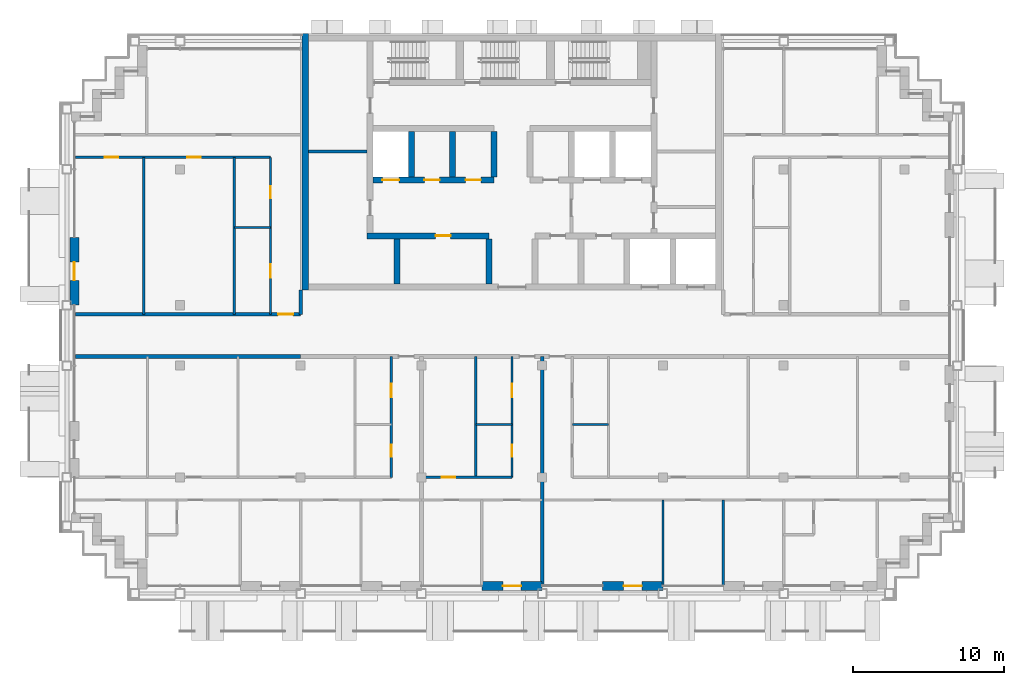
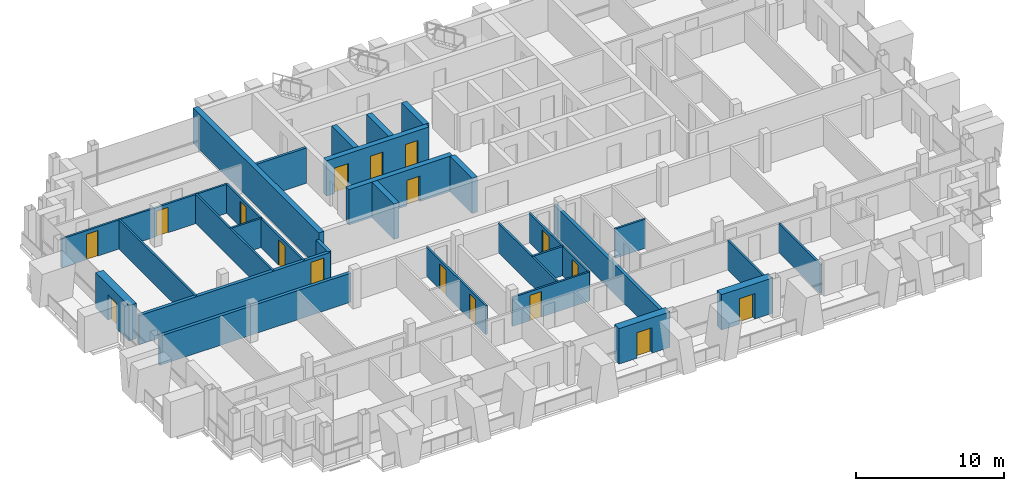
# One storey, part 8 of 16: 29 walls, 17 doors, 17 openings.
"""IFC4 building model written with IfcOpenShell, lengths in metres."""

from ifc_helpers import new_model, si_unit, direction, frame, frame_2d, origin, place, context, subcontext, project, spatial, rectangle, extrude, material, layer, layer_set, type_object, element, fill, save


model = new_model("IFC4")

# Units and contexts
model_context = context("Model", 3, precision=1e-05, world=origin(), true_north=direction((0.0, 1.0)))
body_context = subcontext(model_context, "Body", "Model", "MODEL_VIEW")
ifc_project = project(units=[si_unit("LENGTHUNIT", "METRE"), si_unit("AREAUNIT", "SQUARE_METRE"), si_unit("VOLUMEUNIT", "CUBIC_METRE"), si_unit("PLANEANGLEUNIT", "RADIAN"), si_unit("MASSUNIT", "GRAM", prefix="KILO")], contexts=[model_context])

# Site, building, storey
site_placement = place(None, origin())
site = spatial("IfcSite", under=ifc_project, at=site_placement, CompositionType="ELEMENT")
building_placement = place(site_placement, origin())
building = spatial("IfcBuilding", under=site, at=building_placement, Name="Vidyagriha Tower", CompositionType="ELEMENT")
storey_placement = place(building_placement, frame((0.0, 0.0, 220.39990234375)))
storey = spatial("IfcBuildingStorey", under=building, at=storey_placement, Name="L57", CompositionType="ELEMENT", Elevation=220.39990234375)

# Wall, opening, door
ifc_material_1 = material(Name="Precast concrete C40/50 with brick facing", Category="concrete")
ifc_layer_1 = layer(ifc_material_1, 0.60009765625)
ifc_layer_set_1 = layer_set([ifc_layer_1], Name="Precast concrete C40/50 with brick facing")
wall_type_1 = type_object("IfcWallType", Name="Brick-faced precast wall 600", PredefinedType="STANDARD", material=ifc_layer_set_1)
wall_1_placement = place(storey_placement, frame((-29.0, 6.5, 0.0), z_axis=(0.0, 0.0, 1.0), x_axis=(0.0, -1.0, 0.0)))
wall_1 = element("IfcWall", 1, at=wall_1_placement, inside=storey, type_object=wall_type_1, Name="Brick door bay wall L57 R16.3", PredefinedType="STANDARD", context=body_context, shape_type="SweptSolid", body=[
    extrude(rectangle(XDim=4.5, YDim=0.60009765625, at=frame_2d((2.25, 0.0))), origin(), (0.0, 0.0, 1.0), 2.920166015625),
])
opening_1_placement = place(wall_1_placement, frame((1.64990234375, 0.0, 0.0)))
opening_1 = element("IfcOpeningElement", 2, at=opening_1_placement, cuts=wall_1, Name="Opening D57-62", PredefinedType="OPENING", context=body_context, shape_type="SweptSolid", body=[
    extrude(rectangle(XDim=1.199951171875, YDim=2.10009765625, at=frame_2d((0.60009765625, 1.050048828125))), frame((0.0, 0.31005859375, 0.0), z_axis=(0.0, -1.0, 0.0), x_axis=(1.0, 0.0, 0.0)), (0.0, 0.0, 1.0), 0.6201171875),
])
ifc_material_2 = material(Name="Aluminium framed glazed sliding door", Category="aluminium")
door_type_1 = type_object("IfcDoorType", Name="Balcony sliding door 1200x2100", OperationType="NOTDEFINED", PredefinedType="DOOR", material=ifc_material_2)
door_1_placement = place(opening_1_placement, origin())
door_1 = element("IfcDoor", 3, at=door_1_placement, inside=storey, type_object=door_type_1, Name="Door D57-62", OperationType="SLIDING_TO_LEFT", OverallHeight=2.10009765625, OverallWidth=1.199951171875, PredefinedType="DOOR", context=body_context, shape_type="SweptSolid", body=[
    extrude(rectangle(XDim=1.199951171875, YDim=2.10009765625, at=frame_2d((0.60009765625, 1.050048828125))), frame((0.0, 0.02490234375, 0.0), z_axis=(0.0, -1.0, 0.0), x_axis=(1.0, 0.0, 0.0)), (0.0, 0.0, 1.0), 0.050048828125),
])
fill(opening_1, door_1)

wall_2_placement = place(storey_placement, frame((-2.0, -16.60009765625, 0.0)))
wall_2 = element("IfcWall", 4, at=wall_2_placement, inside=storey, type_object=wall_type_1, Name="Brick door bay wall L57 R23.7", PredefinedType="STANDARD", context=body_context, shape_type="SweptSolid", body=[
    extrude(rectangle(XDim=4.0, YDim=0.60009765625, at=frame_2d((2.0, 0.0))), origin(), (0.0, 0.0, 1.0), 2.920166015625),
])
opening_2_placement = place(wall_2_placement, frame((1.39990234375, 0.0, 0.0)))
opening_2 = element("IfcOpeningElement", 5, at=opening_2_placement, cuts=wall_2, Name="Opening D57-66", PredefinedType="OPENING", context=body_context, shape_type="SweptSolid", body=[
    extrude(rectangle(XDim=1.199951171875, YDim=2.10009765625, at=frame_2d((0.60009765625, 1.050048828125))), frame((0.0, 0.31005859375, 0.0), z_axis=(0.0, -1.0, 0.0), x_axis=(1.0, 0.0, 0.0)), (0.0, 0.0, 1.0), 0.6201171875),
])
door_2_placement = place(opening_2_placement, origin())
door_2 = element("IfcDoor", 6, at=door_2_placement, inside=storey, type_object=door_type_1, Name="Door D57-66", OperationType="SLIDING_TO_LEFT", OverallHeight=2.10009765625, OverallWidth=1.199951171875, PredefinedType="DOOR", context=body_context, shape_type="SweptSolid", body=[
    extrude(rectangle(XDim=1.199951171875, YDim=2.10009765625, at=frame_2d((0.60009765625, 1.050048828125))), frame((0.0, 0.02490234375, 0.0), z_axis=(0.0, -1.0, 0.0), x_axis=(1.0, 0.0, 0.0)), (0.0, 0.0, 1.0), 0.050048828125),
])
fill(opening_2, door_2)

wall_3_placement = place(storey_placement, frame((6.0, -16.60009765625, 0.0)))
wall_3 = element("IfcWall", 7, at=wall_3_placement, inside=storey, type_object=wall_type_1, Name="Brick door bay wall L57 R23.9", PredefinedType="STANDARD", context=body_context, shape_type="SweptSolid", body=[
    extrude(rectangle(XDim=4.0, YDim=0.60009765625, at=frame_2d((2.0, 0.0))), origin(), (0.0, 0.0, 1.0), 2.920166015625),
])
opening_3_placement = place(wall_3_placement, frame((1.39990234375, 0.0, 0.0)))
opening_3 = element("IfcOpeningElement", 8, at=opening_3_placement, cuts=wall_3, Name="Opening D57-67", PredefinedType="OPENING", context=body_context, shape_type="SweptSolid", body=[
    extrude(rectangle(XDim=1.199951171875, YDim=2.10009765625, at=frame_2d((0.60009765625, 1.050048828125))), frame((0.0, 0.31005859375, 0.0), z_axis=(0.0, -1.0, 0.0), x_axis=(1.0, 0.0, 0.0)), (0.0, 0.0, 1.0), 0.6201171875),
])
door_3_placement = place(opening_3_placement, origin())
door_3 = element("IfcDoor", 9, at=door_3_placement, inside=storey, type_object=door_type_1, Name="Door D57-67", OperationType="SLIDING_TO_LEFT", OverallHeight=2.10009765625, OverallWidth=1.199951171875, PredefinedType="DOOR", context=body_context, shape_type="SweptSolid", body=[
    extrude(rectangle(XDim=1.199951171875, YDim=2.10009765625, at=frame_2d((0.60009765625, 1.050048828125))), frame((0.0, 0.02490234375, 0.0), z_axis=(0.0, -1.0, 0.0), x_axis=(1.0, 0.0, 0.0)), (0.0, 0.0, 1.0), 0.050048828125),
])
fill(opening_3, door_3)

# Wall
ifc_material_3 = material(Name="Concrete C60/75", Category="concrete")
ifc_layer_2 = layer(ifc_material_3, 0.39990234375)
ifc_layer_set_2 = layer_set([ifc_layer_2], Name="Concrete C60/75")
wall_type_2 = type_object("IfcWallType", Name="Core shear wall 400 mm", PredefinedType="SHEAR", material=ifc_layer_set_2)
wall_4_placement = place(storey_placement, frame((-13.699951171875, 3.0, 0.0), z_axis=(0.0, 0.0, 1.0), x_axis=(0.0, 1.0, 0.0)))
element("IfcWall", 10, at=wall_4_placement, inside=storey, type_object=wall_type_2, Name="Core west wall", PredefinedType="SHEAR", context=body_context, shape_type="SweptSolid", body=[
    extrude(rectangle(XDim=17.0, YDim=0.39990234375, at=frame_2d((8.5, 0.0))), origin(), (0.0, 0.0, 1.0), 2.920166015625),
])

# Wall, opening, door
wall_5_placement = place(storey_placement, frame((-9.60009765625, 6.60009765625, 0.0)))
wall_5 = element("IfcWall", 11, at=wall_5_placement, inside=storey, type_object=wall_type_2, Name="Core lobby south wall west", PredefinedType="SHEAR", context=body_context, shape_type="SweptSolid", body=[
    extrude(rectangle(XDim=8.077880859375, YDim=0.39990234375, at=frame_2d((4.0390625, 0.0))), origin(), (0.0, 0.0, 1.0), 2.920166015625),
])
opening_4_placement = place(wall_5_placement, frame((4.533203125, 0.0, 0.0)))
opening_4 = element("IfcOpeningElement", 12, at=opening_4_placement, cuts=wall_5, Name="Opening D57-02", PredefinedType="OPENING", context=body_context, shape_type="SweptSolid", body=[
    extrude(rectangle(XDim=1.0, YDim=2.10009765625, at=frame_2d((0.5, 1.050048828125))), frame((0.0, 0.2099609375, 0.0), z_axis=(0.0, -1.0, 0.0), x_axis=(1.0, 0.0, 0.0)), (0.0, 0.0, 1.0), 0.419921875),
])
ifc_material_4 = material(Name="Hollow metal door leaf")
door_type_2 = type_object("IfcDoorType", Name="Core room door 1000 x 2100 mm EI 60", OperationType="NOTDEFINED", PredefinedType="DOOR", material=ifc_material_4)
door_4_placement = place(opening_4_placement, origin())
door_4 = element("IfcDoor", 13, at=door_4_placement, inside=storey, type_object=door_type_2, Name="Door Pressurisation Plant Room 57.01", OperationType="SINGLE_SWING_RIGHT", OverallHeight=2.10009765625, OverallWidth=1.0, PredefinedType="DOOR", context=body_context, shape_type="SweptSolid", body=[
    extrude(rectangle(XDim=1.0, YDim=2.10009765625, at=frame_2d((0.5, 1.050048828125))), frame((0.0, 0.02490234375, 0.0), z_axis=(0.0, -1.0, 0.0), x_axis=(1.0, 0.0, 0.0)), (0.0, 0.0, 1.0), 0.050048828125),
])
fill(opening_4, door_4)

# Walls
for number, where, z_axis, x_axis, name in (
    (14, (-7.611083984375, 3.39990234375, 0.0), (0.0, 0.0, 1.0), (0.0, 1.0, 0.0), "Core bay wall S2"),
    (15, (-1.522216796875, 3.39990234375, 0.0), (0.0, 0.0, 1.0), (0.0, 1.0, 0.0), "Core bay wall S4"),
):
    element("IfcWall", number, at=place(storey_placement, frame(where, z_axis=z_axis, x_axis=x_axis)), inside=storey, type_object=wall_type_2, Name=name, PredefinedType="SHEAR", context=body_context, shape_type="SweptSolid", body=[
        extrude(rectangle(XDim=3.0, YDim=0.39990234375, at=frame_2d((1.5, 0.0))), origin(), (0.0, 0.0, 1.0), 2.920166015625),
    ])

# Wall, openings, doors
wall_6_placement = place(storey_placement, frame((-9.199951171875, 10.300048828125, 0.0)))
wall_6 = element("IfcWall", 16, at=wall_6_placement, inside=storey, type_object=wall_type_2, Name="Core row N front wall", PredefinedType="SHEAR", context=body_context, shape_type="SweptSolid", body=[
    extrude(rectangle(XDim=8.0, YDim=0.39990234375, at=frame_2d((4.0, 0.0))), origin(), (0.0, 0.0, 1.0), 2.920166015625),
])
opening_5_placement = place(wall_6_placement, frame((0.61669921875, 0.0, 0.0)))
opening_5 = element("IfcOpeningElement", 17, at=opening_5_placement, cuts=wall_6, Name="Opening LD57-03", PredefinedType="OPENING", context=body_context, shape_type="SweptSolid", body=[
    extrude(rectangle(XDim=1.10009765625, YDim=2.10009765625, at=frame_2d((0.550048828125, 1.050048828125))), frame((0.0, 0.2099609375, 0.0), z_axis=(0.0, -1.0, 0.0), x_axis=(1.0, 0.0, 0.0)), (0.0, 0.0, 1.0), 0.419921875),
])
opening_6_placement = place(wall_6_placement, frame((3.39990234375, 0.0, 0.0)))
opening_6 = element("IfcOpeningElement", 18, at=opening_6_placement, cuts=wall_6, Name="Opening D57-05", PredefinedType="OPENING", context=body_context, shape_type="SweptSolid", body=[
    extrude(rectangle(XDim=1.0, YDim=2.10009765625, at=frame_2d((0.5, 1.050048828125))), frame((0.0, 0.2099609375, 0.0), z_axis=(0.0, -1.0, 0.0), x_axis=(1.0, 0.0, 0.0)), (0.0, 0.0, 1.0), 0.419921875),
])
opening_7_placement = place(wall_6_placement, frame((6.13330078125, 0.0, 0.0)))
opening_7 = element("IfcOpeningElement", 19, at=opening_7_placement, cuts=wall_6, Name="Opening D57-06", PredefinedType="OPENING", context=body_context, shape_type="SweptSolid", body=[
    extrude(rectangle(XDim=1.0, YDim=2.10009765625, at=frame_2d((0.5, 1.050048828125))), frame((0.0, 0.2099609375, 0.0), z_axis=(0.0, -1.0, 0.0), x_axis=(1.0, 0.0, 0.0)), (0.0, 0.0, 1.0), 0.419921875),
])
door_5_placement = place(opening_6_placement, frame((1.0, 0.0, 0.0), z_axis=(0.0, 0.0, 1.0), x_axis=(-1.0, 0.0, 0.0)))
door_5 = element("IfcDoor", 20, at=door_5_placement, inside=storey, type_object=door_type_2, Name="Door Cleaners Store 57.14", OperationType="SINGLE_SWING_RIGHT", OverallHeight=2.10009765625, OverallWidth=1.0, PredefinedType="DOOR", context=body_context, shape_type="SweptSolid", body=[
    extrude(rectangle(XDim=1.0, YDim=2.10009765625, at=frame_2d((0.5, 1.050048828125))), frame((0.0, 0.02490234375, 0.0), z_axis=(0.0, -1.0, 0.0), x_axis=(1.0, 0.0, 0.0)), (0.0, 0.0, 1.0), 0.050048828125),
])
fill(opening_6, door_5)
door_6_placement = place(opening_7_placement, frame((1.0, 0.0, 0.0), z_axis=(0.0, 0.0, 1.0), x_axis=(-1.0, 0.0, 0.0)))
door_6 = element("IfcDoor", 21, at=door_6_placement, inside=storey, type_object=door_type_2, Name="Door Pressurisation Plant Room 57.15", OperationType="SINGLE_SWING_LEFT", OverallHeight=2.10009765625, OverallWidth=1.0, PredefinedType="DOOR", context=body_context, shape_type="SweptSolid", body=[
    extrude(rectangle(XDim=1.0, YDim=2.10009765625, at=frame_2d((0.5, 1.050048828125))), frame((0.0, 0.02490234375, 0.0), z_axis=(0.0, -1.0, 0.0), x_axis=(1.0, 0.0, 0.0)), (0.0, 0.0, 1.0), 0.050048828125),
])
fill(opening_7, door_6)
ifc_material_5 = material(Name="Stainless steel sliding door panel", Category="steel")
door_type_3 = type_object("IfcDoorType", Name="Lift landing door 1100 x 2100 mm EI 90", OperationType="NOTDEFINED", PredefinedType="DOOR", material=ifc_material_5)
door_7_placement = place(opening_5_placement, origin())
door_7 = element("IfcDoor", 22, at=door_7_placement, inside=storey, type_object=door_type_3, Name="Landing door MR3 L57", OperationType="SLIDING_TO_LEFT", OverallHeight=2.10009765625, OverallWidth=1.10009765625, PredefinedType="DOOR", context=body_context, shape_type="SweptSolid", body=[
    extrude(rectangle(XDim=1.10009765625, YDim=2.10009765625, at=frame_2d((0.550048828125, 1.050048828125))), frame((0.0, 0.02490234375, 0.0), z_axis=(0.0, -1.0, 0.0), x_axis=(1.0, 0.0, 0.0)), (0.0, 0.0, 1.0), 0.050048828125),
])
fill(opening_5, door_7)

# Walls
for number, where, z_axis, x_axis, name in (
    (23, (-6.666748046875, 10.5, 0.0), (0.0, 0.0, 1.0), (0.0, 1.0, 0.0), "Core bay wall N1"),
    (24, (-3.933349609375, 10.5, 0.0), (0.0, 0.0, 1.0), (0.0, 1.0, 0.0), "Core bay wall N2"),
    (25, (-1.199951171875, 10.5, 0.0), (0.0, 0.0, 1.0), (0.0, 1.0, 0.0), "Core bay wall N3"),
):
    element("IfcWall", number, at=place(storey_placement, frame(where, z_axis=z_axis, x_axis=x_axis)), inside=storey, type_object=wall_type_2, Name=name, PredefinedType="SHEAR", context=body_context, shape_type="SweptSolid", body=[
        extrude(rectangle(XDim=3.0, YDim=0.39990234375, at=frame_2d((1.5, 0.0))), origin(), (0.0, 0.0, 1.0), 2.920166015625),
    ])
ifc_material_6 = material(Name="Fired clay brick masonry", Category="masonry")
ifc_layer_3 = layer(ifc_material_6, 0.25)
ifc_layer_set_3 = layer_set([ifc_layer_3], Name="Fired clay brick masonry")
wall_type_3 = type_object("IfcWallType", Name="Fired clay brick corridor wall 250", PredefinedType="PARTITIONING", material=ifc_layer_set_3)
wall_7_placement = place(storey_placement, frame((-14.0, -1.39990234375, 0.0), z_axis=(0.0, 0.0, 1.0), x_axis=(-1.0, 0.0, 0.0)))
element("IfcWall", 26, at=wall_7_placement, inside=storey, type_object=wall_type_3, Name="Wall all-L57-w065", PredefinedType="PARTITIONING", context=body_context, shape_type="SweptSolid", body=[
    extrude(rectangle(XDim=14.919921875, YDim=0.25, at=frame_2d((7.4599609375, 0.0))), origin(), (0.0, 0.0, 1.0), 2.400146484375),
])

# Wall, opening, door
wall_8_placement = place(storey_placement, frame((-28.919921875, 1.39990234375, 0.0)))
wall_8 = element("IfcWall", 27, at=wall_8_placement, inside=storey, type_object=wall_type_3, Name="Wall all-L57-w081", PredefinedType="PARTITIONING", context=body_context, shape_type="SweptSolid", body=[
    extrude(rectangle(XDim=14.919921875, YDim=0.25, at=frame_2d((7.4599609375, 0.0))), origin(), (0.0, 0.0, 1.0), 2.400146484375),
])
opening_8_placement = place(wall_8_placement, frame((13.419921875, 0.0, 0.0)))
opening_8 = element("IfcOpeningElement", 28, at=opening_8_placement, cuts=wall_8, Name="Opening D57-53", PredefinedType="OPENING", context=body_context, shape_type="SweptSolid", body=[
    extrude(rectangle(XDim=1.0, YDim=2.10009765625, at=frame_2d((0.5, 1.050048828125))), frame((0.0, 0.135009765625, 0.0), z_axis=(0.0, -1.0, 0.0), x_axis=(1.0, 0.0, 0.0)), (0.0, 0.0, 1.0), 0.27001953125),
])
ifc_material_7 = material(Name="Fire-rated timber door leaf EI 60", Category="wood")
door_type_4 = type_object("IfcDoorType", Name="Flat entrance fire door 1000x2100", OperationType="NOTDEFINED", PredefinedType="DOOR", material=ifc_material_7)
door_8_placement = place(opening_8_placement, origin())
door_8 = element("IfcDoor", 29, at=door_8_placement, inside=storey, type_object=door_type_4, Name="Door D57-53", OperationType="SINGLE_SWING_RIGHT", OverallHeight=2.10009765625, OverallWidth=1.0, PredefinedType="DOOR", context=body_context, shape_type="SweptSolid", body=[
    extrude(rectangle(XDim=1.0, YDim=2.10009765625, at=frame_2d((0.5, 1.050048828125))), frame((0.0, 0.02490234375, 0.0), z_axis=(0.0, -1.0, 0.0), x_axis=(1.0, 0.0, 0.0)), (0.0, 0.0, 1.0), 0.050048828125),
])
fill(opening_8, door_8)

# Walls
wall_9_placement = place(storey_placement, frame((-14.0, 3.0, 0.0), z_axis=(0.0, 0.0, 1.0), x_axis=(0.0, -1.0, 0.0)))
element("IfcWall", 30, at=wall_9_placement, inside=storey, type_object=wall_type_3, Name="Wall all-L57-w100", PredefinedType="PARTITIONING", context=body_context, shape_type="SweptSolid", body=[
    extrude(rectangle(XDim=1.60009765625, YDim=0.25, at=frame_2d((0.800048828125, 0.0))), origin(), (0.0, 0.0, 1.0), 2.400146484375),
])
ifc_material_8 = material(Name="Fired clay brick masonry", Category="masonry")
ifc_layer_4 = layer(ifc_material_8, 0.25)
ifc_layer_set_4 = layer_set([ifc_layer_4], Name="Fired clay brick masonry")
wall_type_4 = type_object("IfcWallType", Name="Fired clay brick demising wall 250", PredefinedType="PARTITIONING", material=ifc_layer_set_4)
wall_10_placement = place(storey_placement, frame((2.0, -1.39990234375, 0.0), z_axis=(0.0, 0.0, 1.0), x_axis=(0.0, -1.0, 0.0)))
element("IfcWall", 31, at=wall_10_placement, inside=storey, type_object=wall_type_4, Name="Wall all-L57-w064", PredefinedType="PARTITIONING", context=body_context, shape_type="SweptSolid", body=[
    extrude(rectangle(XDim=15.110107421875, YDim=0.25, at=frame_2d((7.55517578125, 0.0))), origin(), (0.0, 0.0, 1.0), 2.400146484375),
])
ifc_material_9 = material(Name="Gypsum board partition")
ifc_layer_5 = layer(ifc_material_9, 0.14990234375)
ifc_layer_set_5 = layer_set([ifc_layer_5], Name="Gypsum board partition")
wall_type_5 = type_object("IfcWallType", Name="Gypsum board partition 150", PredefinedType="PARTITIONING", material=ifc_layer_set_5)
wall_11_placement = place(storey_placement, frame((0.0, -5.89990234375, 0.0), z_axis=(0.0, 0.0, 1.0), x_axis=(-1.0, 0.0, 0.0)))
element("IfcWall", 32, at=wall_11_placement, inside=storey, type_object=wall_type_5, Name="Wall all-L57-w029", PredefinedType="PARTITIONING", context=body_context, shape_type="SweptSolid", body=[
    extrude(rectangle(XDim=2.39990234375, YDim=0.14990234375, at=frame_2d((1.199951171875, 0.0))), origin(), (0.0, 0.0, 1.0), 2.400146484375),
])
wall_12_placement = place(storey_placement, frame((-2.39990234375, -9.39990234375, 0.0), z_axis=(0.0, 0.0, 1.0), x_axis=(0.0, 1.0, 0.0)))
element("IfcWall", 33, at=wall_12_placement, inside=storey, type_object=wall_type_5, Name="Wall all-L57-w030", PredefinedType="PARTITIONING", context=body_context, shape_type="SweptSolid", body=[
    extrude(rectangle(XDim=8.0, YDim=0.14990234375, at=frame_2d((4.0, 0.0))), origin(), (0.0, 0.0, 1.0), 2.400146484375),
])

# Wall, opening, door
wall_13_placement = place(storey_placement, frame((-6.0, -9.39990234375, 0.0)))
wall_13 = element("IfcWall", 34, at=wall_13_placement, inside=storey, type_object=wall_type_5, Name="Wall all-L57-w031", PredefinedType="PARTITIONING", context=body_context, shape_type="SweptSolid", body=[
    extrude(rectangle(XDim=6.0, YDim=0.14990234375, at=frame_2d((3.0, 0.0))), origin(), (0.0, 0.0, 1.0), 2.400146484375),
])
opening_9_placement = place(wall_13_placement, frame((1.35009765625, 0.0, 0.0)))
opening_9 = element("IfcOpeningElement", 35, at=opening_9_placement, cuts=wall_13, Name="Opening D57-31", PredefinedType="OPENING", context=body_context, shape_type="SweptSolid", body=[
    extrude(rectangle(XDim=0.89990234375, YDim=2.10009765625, at=frame_2d((0.449951171875, 1.050048828125))), frame((0.0, 0.0849609375, 0.0), z_axis=(0.0, -1.0, 0.0), x_axis=(1.0, 0.0, 0.0)), (0.0, 0.0, 1.0), 0.169921875),
])
ifc_material_10 = material(Name="Timber door leaf", Category="wood")
door_type_5 = type_object("IfcDoorType", Name="Room door 900x2100", OperationType="NOTDEFINED", PredefinedType="DOOR", material=ifc_material_10)
door_9_placement = place(opening_9_placement, origin())
door_9 = element("IfcDoor", 36, at=door_9_placement, inside=storey, type_object=door_type_5, Name="Door D57-31", OperationType="SINGLE_SWING_LEFT", OverallHeight=2.10009765625, OverallWidth=0.89990234375, PredefinedType="DOOR", context=body_context, shape_type="SweptSolid", body=[
    extrude(rectangle(XDim=0.89990234375, YDim=2.10009765625, at=frame_2d((0.449951171875, 1.050048828125))), frame((0.0, 0.02490234375, 0.0), z_axis=(0.0, -1.0, 0.0), x_axis=(1.0, 0.0, 0.0)), (0.0, 0.0, 1.0), 0.050048828125),
])
fill(opening_9, door_9)

# Walls
wall_14_placement = place(storey_placement, frame((6.39990234375, -5.89990234375, 0.0), z_axis=(0.0, 0.0, 1.0), x_axis=(-1.0, 0.0, 0.0)))
element("IfcWall", 37, at=wall_14_placement, inside=storey, type_object=wall_type_5, Name="Wall all-L57-w042", PredefinedType="PARTITIONING", context=body_context, shape_type="SweptSolid", body=[
    extrude(rectangle(XDim=2.39990234375, YDim=0.14990234375, at=frame_2d((1.199951171875, 0.0))), origin(), (0.0, 0.0, 1.0), 2.400146484375),
])
wall_15_placement = place(storey_placement, frame((10.0, -10.89990234375, 0.0), z_axis=(0.0, 0.0, 1.0), x_axis=(0.0, -1.0, 0.0)))
element("IfcWall", 38, at=wall_15_placement, inside=storey, type_object=wall_type_5, Name="Wall all-L57-w056", PredefinedType="PARTITIONING", context=body_context, shape_type="SweptSolid", body=[
    extrude(rectangle(XDim=5.610107421875, YDim=0.14990234375, at=frame_2d((2.80517578125, 0.0))), origin(), (0.0, 0.0, 1.0), 2.400146484375),
])
wall_16_placement = place(storey_placement, frame((14.0, -10.89990234375, 0.0), z_axis=(0.0, 0.0, 1.0), x_axis=(0.0, -1.0, 0.0)))
element("IfcWall", 39, at=wall_16_placement, inside=storey, type_object=wall_type_5, Name="Wall all-L57-w057", PredefinedType="PARTITIONING", context=body_context, shape_type="SweptSolid", body=[
    extrude(rectangle(XDim=5.62109375, YDim=0.14990234375, at=frame_2d((2.810546875, 0.0))), origin(), (0.0, 0.0, 1.0), 2.400146484375),
])
wall_17_placement = place(storey_placement, frame((-18.39990234375, 7.14990234375, 0.0)))
element("IfcWall", 40, at=wall_17_placement, inside=storey, type_object=wall_type_5, Name="Wall all-L57-w070", PredefinedType="PARTITIONING", context=body_context, shape_type="SweptSolid", body=[
    extrude(rectangle(XDim=2.39990234375, YDim=0.14990234375, at=frame_2d((1.199951171875, 0.0))), origin(), (0.0, 0.0, 1.0), 2.400146484375),
])
for number, where, z_axis, x_axis, name in (
    (41, (-18.39990234375, 1.39990234375, 0.0), (0.0, 0.0, 1.0), (0.0, 1.0, 0.0), "Wall all-L57-w071"),
    (42, (-24.39990234375, 1.39990234375, 0.0), (0.0, 0.0, 1.0), (0.0, 1.0, 0.0), "Wall all-L57-w072"),
):
    element("IfcWall", number, at=place(storey_placement, frame(where, z_axis=z_axis, x_axis=x_axis)), inside=storey, type_object=wall_type_5, Name=name, PredefinedType="PARTITIONING", context=body_context, shape_type="SweptSolid", body=[
        extrude(rectangle(XDim=10.400146484375, YDim=0.14990234375, at=frame_2d((5.2001953125, 0.0))), origin(), (0.0, 0.0, 1.0), 2.400146484375),
    ])

# Wall, openings, doors
wall_18_placement = place(storey_placement, frame((-16.0, 11.800048828125, 0.0), z_axis=(0.0, 0.0, 1.0), x_axis=(-1.0, 0.0, 0.0)))
wall_18 = element("IfcWall", 43, at=wall_18_placement, inside=storey, type_object=wall_type_5, Name="Wall all-L57-w073", PredefinedType="PARTITIONING", context=body_context, shape_type="SweptSolid", body=[
    extrude(rectangle(XDim=12.919921875, YDim=0.14990234375, at=frame_2d((6.4599609375, 0.0))), origin(), (0.0, 0.0, 1.0), 2.400146484375),
])
opening_10_placement = place(wall_18_placement, frame((4.6240234375, 0.0, 0.0)))
opening_10 = element("IfcOpeningElement", 44, at=opening_10_placement, cuts=wall_18, Name="Opening D57-49", PredefinedType="OPENING", context=body_context, shape_type="SweptSolid", body=[
    extrude(rectangle(XDim=0.89990234375, YDim=2.10009765625, at=frame_2d((0.449951171875, 1.050048828125))), frame((0.0, 0.0849609375, 0.0), z_axis=(0.0, -1.0, 0.0), x_axis=(1.0, 0.0, 0.0)), (0.0, 0.0, 1.0), 0.169921875),
])
opening_11_placement = place(wall_18_placement, frame((10.10009765625, 0.0, 0.0)))
opening_11 = element("IfcOpeningElement", 45, at=opening_11_placement, cuts=wall_18, Name="Opening D57-50", PredefinedType="OPENING", context=body_context, shape_type="SweptSolid", body=[
    extrude(rectangle(XDim=0.89990234375, YDim=2.10009765625, at=frame_2d((0.449951171875, 1.050048828125))), frame((0.0, 0.0849609375, 0.0), z_axis=(0.0, -1.0, 0.0), x_axis=(1.0, 0.0, 0.0)), (0.0, 0.0, 1.0), 0.169921875),
])
door_10_placement = place(opening_10_placement, origin())
door_10 = element("IfcDoor", 46, at=door_10_placement, inside=storey, type_object=door_type_5, Name="Door D57-49", OperationType="SINGLE_SWING_LEFT", OverallHeight=2.10009765625, OverallWidth=0.89990234375, PredefinedType="DOOR", context=body_context, shape_type="SweptSolid", body=[
    extrude(rectangle(XDim=0.89990234375, YDim=2.10009765625, at=frame_2d((0.449951171875, 1.050048828125))), frame((0.0, 0.02490234375, 0.0), z_axis=(0.0, -1.0, 0.0), x_axis=(1.0, 0.0, 0.0)), (0.0, 0.0, 1.0), 0.050048828125),
])
fill(opening_10, door_10)
door_11_placement = place(opening_11_placement, origin())
door_11 = element("IfcDoor", 47, at=door_11_placement, inside=storey, type_object=door_type_5, Name="Door D57-50", OperationType="SINGLE_SWING_RIGHT", OverallHeight=2.10009765625, OverallWidth=0.89990234375, PredefinedType="DOOR", context=body_context, shape_type="SweptSolid", body=[
    extrude(rectangle(XDim=0.89990234375, YDim=2.10009765625, at=frame_2d((0.449951171875, 1.050048828125))), frame((0.0, 0.02490234375, 0.0), z_axis=(0.0, -1.0, 0.0), x_axis=(1.0, 0.0, 0.0)), (0.0, 0.0, 1.0), 0.050048828125),
])
fill(opening_11, door_11)

ifc_material_11 = material(Name="Moisture resistant gypsum board partition")
ifc_layer_6 = layer(ifc_material_11, 0.14990234375)
ifc_layer_set_6 = layer_set([ifc_layer_6], Name="Moisture resistant gypsum board partition")
wall_type_6 = type_object("IfcWallType", Name="Gypsum board wet-area partition 150", PredefinedType="PARTITIONING", material=ifc_layer_set_6)
wall_19_placement = place(storey_placement, frame((-8.0, -9.39990234375, 0.0), z_axis=(0.0, 0.0, 1.0), x_axis=(0.0, 1.0, 0.0)))
wall_19 = element("IfcWall", 48, at=wall_19_placement, inside=storey, type_object=wall_type_6, Name="Wall all-L57-w001", PredefinedType="PARTITIONING", context=body_context, shape_type="SweptSolid", body=[
    extrude(rectangle(XDim=8.0, YDim=0.14990234375, at=frame_2d((4.0, 0.0))), origin(), (0.0, 0.0, 1.0), 2.400146484375),
])
opening_12_placement = place(wall_19_placement, frame((5.300048828125, 0.0, 0.0)))
opening_12 = element("IfcOpeningElement", 49, at=opening_12_placement, cuts=wall_19, Name="Opening D57-17", PredefinedType="OPENING", context=body_context, shape_type="SweptSolid", body=[
    extrude(rectangle(XDim=0.89990234375, YDim=2.10009765625, at=frame_2d((0.449951171875, 1.050048828125))), frame((0.0, 0.0849609375, 0.0), z_axis=(0.0, -1.0, 0.0), x_axis=(1.0, 0.0, 0.0)), (0.0, 0.0, 1.0), 0.169921875),
])
opening_13_placement = place(wall_19_placement, frame((1.35009765625, 0.0, 0.0)))
opening_13 = element("IfcOpeningElement", 50, at=opening_13_placement, cuts=wall_19, Name="Opening D57-18", PredefinedType="OPENING", context=body_context, shape_type="SweptSolid", body=[
    extrude(rectangle(XDim=0.800048828125, YDim=2.10009765625, at=frame_2d((0.39990234375, 1.050048828125))), frame((0.0, 0.0849609375, 0.0), z_axis=(0.0, -1.0, 0.0), x_axis=(1.0, 0.0, 0.0)), (0.0, 0.0, 1.0), 0.169921875),
])
ifc_material_12 = material(Name="Timber door leaf", Category="wood")
door_type_6 = type_object("IfcDoorType", Name="Bathroom door 800x2100", OperationType="NOTDEFINED", PredefinedType="DOOR", material=ifc_material_12)
door_12_placement = place(opening_13_placement, origin())
door_12 = element("IfcDoor", 51, at=door_12_placement, inside=storey, type_object=door_type_6, Name="Door D57-18", OperationType="SINGLE_SWING_RIGHT", OverallHeight=2.10009765625, OverallWidth=0.800048828125, PredefinedType="DOOR", context=body_context, shape_type="SweptSolid", body=[
    extrude(rectangle(XDim=0.800048828125, YDim=2.10009765625, at=frame_2d((0.39990234375, 1.050048828125))), frame((0.0, 0.02490234375, 0.0), z_axis=(0.0, -1.0, 0.0), x_axis=(1.0, 0.0, 0.0)), (0.0, 0.0, 1.0), 0.050048828125),
])
fill(opening_13, door_12)
ifc_material_13 = material(Name="Timber door leaf", Category="wood")
door_type_7 = type_object("IfcDoorType", Name="Kitchen door 900x2100", OperationType="NOTDEFINED", PredefinedType="DOOR", material=ifc_material_13)
door_13_placement = place(opening_12_placement, origin())
door_13 = element("IfcDoor", 52, at=door_13_placement, inside=storey, type_object=door_type_7, Name="Door D57-17", OperationType="SINGLE_SWING_LEFT", OverallHeight=2.10009765625, OverallWidth=0.89990234375, PredefinedType="DOOR", context=body_context, shape_type="SweptSolid", body=[
    extrude(rectangle(XDim=0.89990234375, YDim=2.10009765625, at=frame_2d((0.449951171875, 1.050048828125))), frame((0.0, 0.02490234375, 0.0), z_axis=(0.0, -1.0, 0.0), x_axis=(1.0, 0.0, 0.0)), (0.0, 0.0, 1.0), 0.050048828125),
])
fill(opening_12, door_13)

wall_20_placement = place(storey_placement, frame((0.0, -9.39990234375, 0.0), z_axis=(0.0, 0.0, 1.0), x_axis=(0.0, 1.0, 0.0)))
wall_20 = element("IfcWall", 53, at=wall_20_placement, inside=storey, type_object=wall_type_6, Name="Wall all-L57-w026", PredefinedType="PARTITIONING", context=body_context, shape_type="SweptSolid", body=[
    extrude(rectangle(XDim=8.0, YDim=0.14990234375, at=frame_2d((4.0, 0.0))), origin(), (0.0, 0.0, 1.0), 2.400146484375),
])
opening_14_placement = place(wall_20_placement, frame((5.300048828125, 0.0, 0.0)))
opening_14 = element("IfcOpeningElement", 54, at=opening_14_placement, cuts=wall_20, Name="Opening D57-29", PredefinedType="OPENING", context=body_context, shape_type="SweptSolid", body=[
    extrude(rectangle(XDim=0.89990234375, YDim=2.10009765625, at=frame_2d((0.449951171875, 1.050048828125))), frame((0.0, 0.0849609375, 0.0), z_axis=(0.0, -1.0, 0.0), x_axis=(1.0, 0.0, 0.0)), (0.0, 0.0, 1.0), 0.169921875),
])
opening_15_placement = place(wall_20_placement, frame((1.35009765625, 0.0, 0.0)))
opening_15 = element("IfcOpeningElement", 55, at=opening_15_placement, cuts=wall_20, Name="Opening D57-30", PredefinedType="OPENING", context=body_context, shape_type="SweptSolid", body=[
    extrude(rectangle(XDim=0.800048828125, YDim=2.10009765625, at=frame_2d((0.39990234375, 1.050048828125))), frame((0.0, 0.0849609375, 0.0), z_axis=(0.0, -1.0, 0.0), x_axis=(1.0, 0.0, 0.0)), (0.0, 0.0, 1.0), 0.169921875),
])
door_14_placement = place(opening_15_placement, origin())
door_14 = element("IfcDoor", 56, at=door_14_placement, inside=storey, type_object=door_type_6, Name="Door D57-30", OperationType="SINGLE_SWING_RIGHT", OverallHeight=2.10009765625, OverallWidth=0.800048828125, PredefinedType="DOOR", context=body_context, shape_type="SweptSolid", body=[
    extrude(rectangle(XDim=0.800048828125, YDim=2.10009765625, at=frame_2d((0.39990234375, 1.050048828125))), frame((0.0, 0.02490234375, 0.0), z_axis=(0.0, -1.0, 0.0), x_axis=(1.0, 0.0, 0.0)), (0.0, 0.0, 1.0), 0.050048828125),
])
fill(opening_15, door_14)
door_15_placement = place(opening_14_placement, origin())
door_15 = element("IfcDoor", 57, at=door_15_placement, inside=storey, type_object=door_type_7, Name="Door D57-29", OperationType="SINGLE_SWING_LEFT", OverallHeight=2.10009765625, OverallWidth=0.89990234375, PredefinedType="DOOR", context=body_context, shape_type="SweptSolid", body=[
    extrude(rectangle(XDim=0.89990234375, YDim=2.10009765625, at=frame_2d((0.449951171875, 1.050048828125))), frame((0.0, 0.02490234375, 0.0), z_axis=(0.0, -1.0, 0.0), x_axis=(1.0, 0.0, 0.0)), (0.0, 0.0, 1.0), 0.050048828125),
])
fill(opening_14, door_15)

wall_21_placement = place(storey_placement, frame((-16.0, 1.39990234375, 0.0), z_axis=(0.0, 0.0, 1.0), x_axis=(0.0, 1.0, 0.0)))
wall_21 = element("IfcWall", 58, at=wall_21_placement, inside=storey, type_object=wall_type_6, Name="Wall all-L57-w067", PredefinedType="PARTITIONING", context=body_context, shape_type="SweptSolid", body=[
    extrude(rectangle(XDim=10.400146484375, YDim=0.14990234375, at=frame_2d((5.2001953125, 0.0))), origin(), (0.0, 0.0, 1.0), 2.400146484375),
])
opening_16_placement = place(wall_21_placement, frame((2.425048828125, 0.0, 0.0)))
opening_16 = element("IfcOpeningElement", 59, at=opening_16_placement, cuts=wall_21, Name="Opening D57-47", PredefinedType="OPENING", context=body_context, shape_type="SweptSolid", body=[
    extrude(rectangle(XDim=0.89990234375, YDim=2.10009765625, at=frame_2d((0.449951171875, 1.050048828125))), frame((0.0, 0.0849609375, 0.0), z_axis=(0.0, -1.0, 0.0), x_axis=(1.0, 0.0, 0.0)), (0.0, 0.0, 1.0), 0.169921875),
])
opening_17_placement = place(wall_21_placement, frame((7.675048828125, 0.0, 0.0)))
opening_17 = element("IfcOpeningElement", 60, at=opening_17_placement, cuts=wall_21, Name="Opening D57-48", PredefinedType="OPENING", context=body_context, shape_type="SweptSolid", body=[
    extrude(rectangle(XDim=0.800048828125, YDim=2.10009765625, at=frame_2d((0.39990234375, 1.050048828125))), frame((0.0, 0.0849609375, 0.0), z_axis=(0.0, -1.0, 0.0), x_axis=(1.0, 0.0, 0.0)), (0.0, 0.0, 1.0), 0.169921875),
])
door_16_placement = place(opening_17_placement, origin())
door_16 = element("IfcDoor", 61, at=door_16_placement, inside=storey, type_object=door_type_6, Name="Door D57-48", OperationType="SINGLE_SWING_LEFT", OverallHeight=2.10009765625, OverallWidth=0.800048828125, PredefinedType="DOOR", context=body_context, shape_type="SweptSolid", body=[
    extrude(rectangle(XDim=0.800048828125, YDim=2.10009765625, at=frame_2d((0.39990234375, 1.050048828125))), frame((0.0, 0.02490234375, 0.0), z_axis=(0.0, -1.0, 0.0), x_axis=(1.0, 0.0, 0.0)), (0.0, 0.0, 1.0), 0.050048828125),
])
fill(opening_17, door_16)
door_17_placement = place(opening_16_placement, origin())
door_17 = element("IfcDoor", 62, at=door_17_placement, inside=storey, type_object=door_type_7, Name="Door D57-47", OperationType="SINGLE_SWING_RIGHT", OverallHeight=2.10009765625, OverallWidth=0.89990234375, PredefinedType="DOOR", context=body_context, shape_type="SweptSolid", body=[
    extrude(rectangle(XDim=0.89990234375, YDim=2.10009765625, at=frame_2d((0.449951171875, 1.050048828125))), frame((0.0, 0.02490234375, 0.0), z_axis=(0.0, -1.0, 0.0), x_axis=(1.0, 0.0, 0.0)), (0.0, 0.0, 1.0), 0.050048828125),
])
fill(opening_16, door_17)

# Wall
ifc_material_14 = material(Name="Blockwork 15 MPa", Category="masonry")
ifc_layer_7 = layer(ifc_material_14, 0.199951171875)
ifc_layer_set_7 = layer_set([ifc_layer_7], Name="Blockwork 15 MPa")
wall_type_7 = type_object("IfcWallType", Name="Service room partition 200 mm", PredefinedType="PARTITIONING", material=ifc_layer_set_7)
wall_22_placement = place(storey_placement, frame((-13.5, 12.199951171875, 0.0)))
element("IfcWall", 63, at=wall_22_placement, inside=storey, type_object=wall_type_7, Name="Core room partition W1", PredefinedType="PARTITIONING", context=body_context, shape_type="SweptSolid", body=[
    extrude(rectangle(XDim=3.89990234375, YDim=0.199951171875, at=frame_2d((1.949951171875, 0.0))), origin(), (0.0, 0.0, 1.0), 2.920166015625),
])

save(model, "model.ifc")
